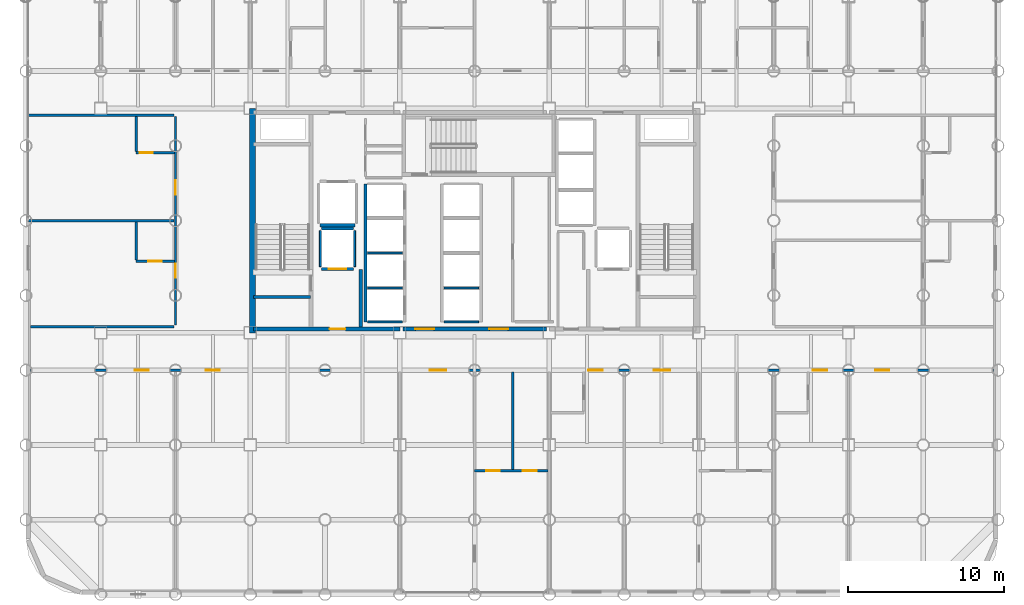
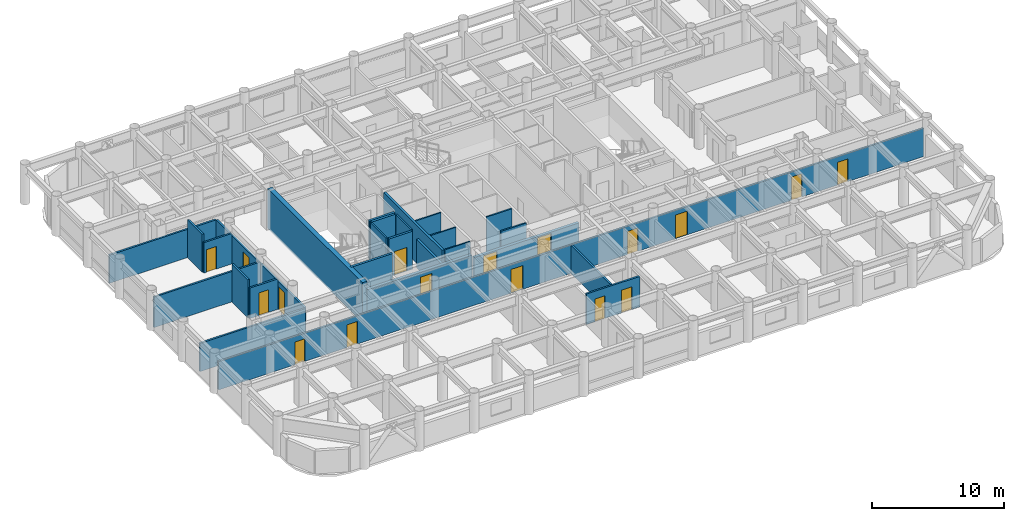
# One storey, part 15 of 20: 27 walls, 17 doors, 17 openings.
"""IFC4 building model written with IfcOpenShell, lengths in metres."""

import ifcopenshell
import ifcopenshell.guid

model = None  # the IFC model being written
_history = None  # IfcOwnerHistory: only IFC2X3 demands one
_inside = {}  # id of a spatial element -> (the spatial element, [elements in it])
_under = {}  # id of a project, library or spatial element -> (it, [spatial elements below it])
_declared = {}  # id of a project -> (the project, [libraries it declares])
_typed = {}  # id of a type object -> (the type object, [elements of that type])
_made_of = {}  # id of a material, layer set ... -> (it, [elements and type objects made of it])


def new_model(schema):
    """Start an empty IFC model of exactly this schema.

    Asked for "IFC4X3", IfcOpenShell would pick the latest addendum, in which some entities
    have other attributes; the version numbers below select the first issue.
    IFC2X3 requires an IfcOwnerHistory on every rooted entity: one is made here for all.
    """
    global model, _history
    if schema == "IFC4X3":
        model = ifcopenshell.file(schema_version=(4, 3, 0, 0))
    else:
        model = ifcopenshell.file(schema=schema)
    _inside.clear()
    _under.clear()
    _declared.clear()
    _typed.clear()
    _made_of.clear()
    _history = None
    if model.schema == "IFC2X3":
        org = make("IfcOrganization", Name="unknown")
        user = make(
            "IfcPersonAndOrganization",
            ThePerson=make("IfcPerson", FamilyName="unknown"),
            TheOrganization=org,
        )
        app = make(
            "IfcApplication",
            ApplicationDeveloper=org,
            Version="unknown",
            ApplicationFullName="unknown",
            ApplicationIdentifier="unknown",
        )
        _history = make(
            "IfcOwnerHistory",
            OwningUser=user,
            OwningApplication=app,
            ChangeAction="ADDED",
            CreationDate=0,
        )
    return model


def make(cls, **values):
    """One entity of the class cls with the attributes given. An attribute that is None is left unset."""
    return model.create_entity(
        cls, **{name: value for name, value in values.items() if value is not None}
    )


def rooted(cls, **values):
    """An entity with a GlobalId (a new one), such as an element, a storey or a relation."""
    return make(cls, GlobalId=ifcopenshell.guid.new(), OwnerHistory=_history, **values)


def si_unit(unit_type, name, prefix=None):
    """IfcSIUnit, for example si_unit("LENGTHUNIT", "METRE", prefix="MILLI")."""
    return make("IfcSIUnit", UnitType=unit_type, Prefix=prefix, Name=name)


def assignment(units):
    """IfcUnitAssignment: the units of a project."""
    return None if units is None else make("IfcUnitAssignment", Units=units)


def point(xyz):
    """IfcCartesianPoint."""
    return None if xyz is None else make("IfcCartesianPoint", Coordinates=xyz)


def direction(xyz):
    """IfcDirection."""
    return None if xyz is None else make("IfcDirection", DirectionRatios=xyz)


def frame(location, z_axis=None, x_axis=None):
    """IfcAxis2Placement3D, a coordinate frame: its origin and axes. An axis left out is left unset."""
    return make(
        "IfcAxis2Placement3D",
        Location=point(location),
        Axis=direction(z_axis),
        RefDirection=direction(x_axis),
    )


def frame_2d(location, x_axis=None):
    """IfcAxis2Placement2D, a coordinate frame in the plane: its origin and x axis."""
    return make(
        "IfcAxis2Placement2D", Location=point(location), RefDirection=direction(x_axis)
    )


def origin():
    """The frame at (0, 0, 0) with its axes left unset."""
    return frame((0.0, 0.0, 0.0))


def place(relative_to, where):
    """IfcLocalPlacement: puts the frame where relative to a parent placement (None: the world)."""
    return make(
        "IfcLocalPlacement", PlacementRelTo=relative_to, RelativePlacement=where
    )


def context(
    kind, dimensions, precision=None, world=None, true_north=None, identifier=None
):
    """IfcGeometricRepresentationContext, for example the 3D "Model" context."""
    return make(
        "IfcGeometricRepresentationContext",
        ContextIdentifier=identifier,
        ContextType=kind,
        CoordinateSpaceDimension=dimensions,
        Precision=precision,
        WorldCoordinateSystem=world,
        TrueNorth=true_north,
    )


def subcontext(parent, identifier, kind, view, scale=None):
    """IfcGeometricRepresentationSubContext, for example "Body" below "Model"."""
    return make(
        "IfcGeometricRepresentationSubContext",
        ContextIdentifier=identifier,
        ContextType=kind,
        ParentContext=parent,
        TargetScale=scale,
        TargetView=view,
    )


def project(units=None, contexts=None):
    """IfcProject with its units and contexts."""
    return rooted(
        "IfcProject",
        Name="project",
        RepresentationContexts=contexts,
        UnitsInContext=assignment(units),
    )


def spatial(cls, under=None, at=None, **own):
    """A site, building, storey or space (cls), placed at a placement, below another one or the project."""
    s = rooted(cls, ObjectPlacement=at, **own)
    if under is not None:
        _under.setdefault(under.id(), (under, []))[1].append(s)
    return s


def profile(cls, at=None, kind="AREA", **sizes):
    """A parametric profile (cls). Its sizes go by their IFC names, for example OverallWidth=200.0."""
    return make(cls, ProfileType=kind, Position=at, **sizes)


def rectangle(**sizes):
    """IfcRectangleProfileDef."""
    return profile("IfcRectangleProfileDef", **sizes)


def extrude(swept, where, along, depth):
    """IfcExtrudedAreaSolid: the profile swept, set in the frame where, extruded along a direction by depth."""
    return make(
        "IfcExtrudedAreaSolid",
        SweptArea=swept,
        Position=where,
        ExtrudedDirection=direction(along),
        Depth=depth,
    )


def shape(context_of_items, identifier, shape_type, items):
    """IfcShapeRepresentation: the items that make up one representation, for example the "Body"."""
    return make(
        "IfcShapeRepresentation",
        ContextOfItems=context_of_items,
        RepresentationIdentifier=identifier,
        RepresentationType=shape_type,
        Items=items,
    )


def material(Name=None, Category=None):
    """IfcMaterial."""
    return make("IfcMaterial", Name=Name, Category=Category)


def layer(
    of_material, thickness, ventilated=None, Name=None, Category=None, Priority=None
):
    """IfcMaterialLayer: one layer of a wall or slab, of a material (None: an air gap)."""
    return make(
        "IfcMaterialLayer",
        Material=of_material,
        LayerThickness=thickness,
        IsVentilated=ventilated,
        Name=Name,
        Category=Category,
        Priority=Priority,
    )


def layer_set(layers, Name=None):
    """IfcMaterialLayerSet."""
    return make("IfcMaterialLayerSet", MaterialLayers=layers, LayerSetName=Name)


def made_of(thing, what):
    """Note that an element or type object is made of a material, layer set ...; save() writes the relation."""
    if what is not None:
        _made_of.setdefault(what.id(), (what, []))[1].append(thing)
    return thing


def type_object(cls, material=None, **own):
    """A type object (cls), such as IfcWallType, which elements share."""
    return made_of(rooted(cls, **own), material)


def element(
    cls,
    number,
    at=None,
    inside=None,
    cuts=None,
    type_object=None,
    material=None,
    context=None,
    identifier="Body",
    shape_type=None,
    held_by="IfcProductDefinitionShape",
    body=None,
    shapes=None,
    **own,
):
    """One element of the class cls, such as IfcWall. Its Tag is "e" and its number.

    at: its placement. inside: the storey or other place that contains it. cuts: it is an
    opening in that element (IfcRelVoidsElement). A single representation is given by context,
    identifier, shape_type and body (its items); several are given by shapes. held_by: the class
    of the entity that holds the representations. save() writes the other relations.
    """
    e = rooted(cls, Tag="e%d" % number, ObjectPlacement=at, **own)
    if body is not None:
        shapes = [shape(context, identifier, shape_type, body)]
    if shapes is not None:
        e.Representation = make(held_by, Representations=shapes)
    if inside is not None:
        _inside.setdefault(inside.id(), (inside, []))[1].append(e)
    if cuts is not None:
        rooted(
            "IfcRelVoidsElement", RelatingBuildingElement=cuts, RelatedOpeningElement=e
        )
    if type_object is not None:
        _typed.setdefault(type_object.id(), (type_object, []))[1].append(e)
    return made_of(e, material)


def fill(opening, filler):
    """IfcRelFillsElement: the door or window that sits in an opening."""
    return rooted(
        "IfcRelFillsElement",
        RelatingOpeningElement=opening,
        RelatedBuildingElement=filler,
    )


def aggregate(whole, parts):
    """IfcRelAggregates: a whole, such as a stair, and the parts it consists of."""
    return rooted("IfcRelAggregates", RelatingObject=whole, RelatedObjects=parts)


def save(model, path):
    """Write the relations noted so far, then the file.

    IfcRelAggregates (storeys below a building ...), IfcRelContainedInSpatialStructure (elements
    in a storey), IfcRelDefinesByType, IfcRelAssociatesMaterial and IfcRelDeclares: one each for
    every whole, place, type object, material and project.
    """
    for whole, parts in _under.values():
        aggregate(whole, parts)
    for where, things in _inside.values():
        rooted(
            "IfcRelContainedInSpatialStructure",
            RelatedElements=things,
            RelatingStructure=where,
        )
    for kind, things in _typed.values():
        rooted("IfcRelDefinesByType", RelatedObjects=things, RelatingType=kind)
    for what, things in _made_of.values():
        rooted("IfcRelAssociatesMaterial", RelatedObjects=things, RelatingMaterial=what)
    for by, libraries in _declared.values():
        rooted("IfcRelDeclares", RelatingContext=by, RelatedDefinitions=libraries)
    model.write(path)


model = new_model("IFC4")

# Units and contexts
model_context = context("Model", 3, precision=1e-05, world=origin(), true_north=direction((0.0, 1.0)))
body_context = subcontext(model_context, "Body", "Model", "MODEL_VIEW")
ifc_project = project(units=[si_unit("LENGTHUNIT", "METRE"), si_unit("AREAUNIT", "SQUARE_METRE"), si_unit("VOLUMEUNIT", "CUBIC_METRE"), si_unit("PLANEANGLEUNIT", "RADIAN"), si_unit("MASSUNIT", "GRAM", prefix="KILO")], contexts=[model_context])

# Site, building, storey
site_placement = place(None, origin())
site = spatial("IfcSite", under=ifc_project, at=site_placement, CompositionType="ELEMENT")
building_placement = place(site_placement, origin())
building = spatial("IfcBuilding", under=site, at=building_placement, Name="Kallvorn Hotel Tower", CompositionType="ELEMENT")
storey_placement = place(building_placement, frame((0.0, 0.0, 74.39990234375)))
storey = spatial("IfcBuildingStorey", under=building, at=storey_placement, Name="L17", CompositionType="ELEMENT", Elevation=74.39990234375)

# Wall
ifc_material_1 = material(Name="Concrete C50/60", Category="concrete")
ifc_layer_1 = layer(ifc_material_1, 0.39990234375)
ifc_layer_set_1 = layer_set([ifc_layer_1], Name="WL_CORE_400")
wall_type_1 = type_object("IfcWallType", Name="WL_CORE_400", PredefinedType="SHEAR", material=ifc_layer_set_1)
wall_1_placement = place(storey_placement, frame((-14.264892578125, -7.199951171875, -0.179931640625), z_axis=(0.0, 0.0, 1.0), x_axis=(0.0, 1.0, 0.0)))
element("IfcWall", 1, at=wall_1_placement, inside=storey, type_object=wall_type_1, Name="L17 Core West Shear Wall", PredefinedType="SHEAR", context=body_context, shape_type="SweptSolid", body=[
    extrude(rectangle(XDim=14.39990234375, YDim=0.39990234375, at=frame_2d((7.199951171875, 0.0))), origin(), (0.0, 0.0, 1.0), 3.699951171875),
])

# Wall, openings, doors
ifc_material_2 = material(Name="Fire-rated double-layer acoustic gypsum drywall EI 60")
ifc_layer_2 = layer(ifc_material_2, 0.159912109375)
ifc_layer_set_2 = layer_set([ifc_layer_2], Name="WL_DEMISE_160")
wall_type_2 = type_object("IfcWallType", Name="WL_DEMISE_160", PredefinedType="PARTITIONING", material=ifc_layer_set_2)
wall_2_placement = place(storey_placement, frame((0.0, -16.050048828125, 0.0), z_axis=(0.0, 0.0, 1.0), x_axis=(1.0, 0.0, 0.0)))
wall_2 = element("IfcWall", 2, at=wall_2_placement, inside=storey, type_object=wall_type_2, Name="L17 Suite 1705 Executive Bedroom Partition", PredefinedType="PARTITIONING", context=body_context, shape_type="SweptSolid", body=[
    extrude(rectangle(XDim=4.719970703125, YDim=0.159912109375, at=frame_2d((2.35986328125, 0.0))), origin(), (0.0, 0.0, 1.0), 2.820068359375),
])
opening_1_placement = place(wall_2_placement, frame((0.75, 0.0, 0.0)))
opening_1 = element("IfcOpeningElement", 3, at=opening_1_placement, cuts=wall_2, Name="Opening BD-I", PredefinedType="OPENING", context=body_context, shape_type="SweptSolid", body=[
    extrude(rectangle(XDim=0.860107421875, YDim=2.10009765625, at=frame_2d((0.43017578125, 1.050048828125))), frame((0.0, 0.094970703125, 0.0), z_axis=(0.0, -1.0, 0.0), x_axis=(1.0, 0.0, 0.0)), (0.0, 0.0, 1.0), 0.18994140625),
])
opening_2_placement = place(wall_2_placement, frame((3.090087890625, 0.0, 0.0)))
opening_2 = element("IfcOpeningElement", 4, at=opening_2_placement, cuts=wall_2, Name="Opening SVD1", PredefinedType="OPENING", context=body_context, shape_type="SweptSolid", body=[
    extrude(rectangle(XDim=0.89990234375, YDim=2.10009765625, at=frame_2d((0.449951171875, 1.050048828125))), frame((0.0, 0.094970703125, 0.0), z_axis=(0.0, -1.0, 0.0), x_axis=(1.0, 0.0, 0.0)), (0.0, 0.0, 1.0), 0.18994140625),
])
ifc_material_3 = material(Name="Solid-core walnut veneer fire-rated timber door leaf", Category="wood")
door_type_1 = type_object("IfcDoorType", Name="DR_BATH_860x2100", OperationType="NOTDEFINED", PredefinedType="DOOR", material=ifc_material_3)
door_1_placement = place(opening_1_placement, origin())
door_1 = element("IfcDoor", 5, at=door_1_placement, inside=storey, type_object=door_type_1, Name="L17 Suite 1705 En-Suite Bathroom Door", OperationType="SINGLE_SWING_LEFT", OverallHeight=2.10009765625, OverallWidth=0.860107421875, PredefinedType="DOOR", context=body_context, shape_type="SweptSolid", body=[
    extrude(rectangle(XDim=0.860107421875, YDim=2.10009765625, at=frame_2d((0.43017578125, 1.050048828125))), frame((0.0, 0.02490234375, 0.0), z_axis=(0.0, -1.0, 0.0), x_axis=(1.0, 0.0, 0.0)), (0.0, 0.0, 1.0), 0.050048828125),
])
fill(opening_1, door_1)
ifc_material_4 = material(Name="Galvanised painted steel fire-rated door assembly", Category="steel")
door_type_2 = type_object("IfcDoorType", Name="DR_SERV_900x2100", OperationType="NOTDEFINED", PredefinedType="DOOR", material=ifc_material_4)
door_2_placement = place(opening_2_placement, origin())
door_2 = element("IfcDoor", 6, at=door_2_placement, inside=storey, type_object=door_type_2, Name="L17 Suite 1705 Walk-In Dressing Closet Door", OperationType="SINGLE_SWING_RIGHT", OverallHeight=2.10009765625, OverallWidth=0.89990234375, PredefinedType="DOOR", context=body_context, shape_type="SweptSolid", body=[
    extrude(rectangle(XDim=0.89990234375, YDim=2.10009765625, at=frame_2d((0.449951171875, 1.050048828125))), frame((0.0, 0.02490234375, 0.0), z_axis=(0.0, -1.0, 0.0), x_axis=(1.0, 0.0, 0.0)), (0.0, 0.0, 1.0), 0.050048828125),
])
fill(opening_2, door_2)

wall_3_placement = place(storey_placement, frame((-28.510009765625, -9.60009765625, 0.0), z_axis=(0.0, 0.0, 1.0), x_axis=(1.0, 0.0, 0.0)))
wall_3 = element("IfcWall", 7, at=wall_3_placement, inside=storey, type_object=wall_type_2, Name="L17 Suite 1705 Executive Living Salon Partition", PredefinedType="PARTITIONING", context=body_context, shape_type="SweptSolid", body=[
    extrude(rectangle(XDim=61.820068359375, YDim=0.159912109375, at=frame_2d((30.91015625, 0.0))), origin(), (0.0, 0.0, 1.0), 2.6201171875),
])
opening_3_placement = place(wall_3_placement, frame((6.679443359375, 0.0, 0.0)))
opening_3 = element("IfcOpeningElement", 8, at=opening_3_placement, cuts=wall_3, Name="Opening SVD1", PredefinedType="OPENING", context=body_context, shape_type="SweptSolid", body=[
    extrude(rectangle(XDim=0.89990234375, YDim=2.10009765625, at=frame_2d((0.449951171875, 1.050048828125))), frame((0.0, 0.094970703125, 0.0), z_axis=(0.0, -1.0, 0.0), x_axis=(1.0, 0.0, 0.0)), (0.0, 0.0, 1.0), 0.18994140625),
])
opening_4_placement = place(wall_3_placement, frame((54.240478515625, 0.0, 0.0)))
opening_4 = element("IfcOpeningElement", 9, at=opening_4_placement, cuts=wall_3, Name="Opening SVD1", PredefinedType="OPENING", context=body_context, shape_type="SweptSolid", body=[
    extrude(rectangle(XDim=0.89990234375, YDim=2.10009765625, at=frame_2d((0.449951171875, 1.050048828125))), frame((0.0, 0.094970703125, 0.0), z_axis=(0.0, -1.0, 0.0), x_axis=(1.0, 0.0, 0.0)), (0.0, 0.0, 1.0), 0.18994140625),
])
opening_5_placement = place(wall_3_placement, frame((11.260009765625, 0.0, 0.0)))
opening_5 = element("IfcOpeningElement", 10, at=opening_5_placement, cuts=wall_3, Name="Opening SVD1", PredefinedType="OPENING", context=body_context, shape_type="SweptSolid", body=[
    extrude(rectangle(XDim=0.89990234375, YDim=2.10009765625, at=frame_2d((0.449951171875, 1.050048828125))), frame((0.0, 0.094970703125, 0.0), z_axis=(0.0, -1.0, 0.0), x_axis=(1.0, 0.0, 0.0)), (0.0, 0.0, 1.0), 0.18994140625),
])
opening_6_placement = place(wall_3_placement, frame((25.625, 0.0, 0.0)))
opening_6 = element("IfcOpeningElement", 11, at=opening_6_placement, cuts=wall_3, Name="Opening GD2", PredefinedType="OPENING", context=body_context, shape_type="SweptSolid", body=[
    extrude(rectangle(XDim=1.050048828125, YDim=2.199951171875, at=frame_2d((0.52490234375, 1.10009765625))), frame((0.0, 0.094970703125, 0.0), z_axis=(0.0, -1.0, 0.0), x_axis=(1.0, 0.0, 0.0)), (0.0, 0.0, 1.0), 0.18994140625),
])
opening_7_placement = place(wall_3_placement, frame((35.820068359375, 0.0, 0.0)))
opening_7 = element("IfcOpeningElement", 12, at=opening_7_placement, cuts=wall_3, Name="Opening GD1", PredefinedType="OPENING", context=body_context, shape_type="SweptSolid", body=[
    extrude(rectangle(XDim=0.919921875, YDim=2.14990234375, at=frame_2d((0.4599609375, 1.074951171875))), frame((0.0, 0.094970703125, 0.0), z_axis=(0.0, -1.0, 0.0), x_axis=(1.0, 0.0, 0.0)), (0.0, 0.0, 1.0), 0.18994140625),
])
opening_8_placement = place(wall_3_placement, frame((40.02490234375, 0.0, 0.0)))
opening_8 = element("IfcOpeningElement", 13, at=opening_8_placement, cuts=wall_3, Name="Opening GD2", PredefinedType="OPENING", context=body_context, shape_type="SweptSolid", body=[
    extrude(rectangle(XDim=1.050048828125, YDim=2.199951171875, at=frame_2d((0.52490234375, 1.10009765625))), frame((0.0, 0.094970703125, 0.0), z_axis=(0.0, -1.0, 0.0), x_axis=(1.0, 0.0, 0.0)), (0.0, 0.0, 1.0), 0.18994140625),
])
opening_9_placement = place(wall_3_placement, frame((50.219970703125, 0.0, 0.0)))
opening_9 = element("IfcOpeningElement", 14, at=opening_9_placement, cuts=wall_3, Name="Opening GD1", PredefinedType="OPENING", context=body_context, shape_type="SweptSolid", body=[
    extrude(rectangle(XDim=0.919921875, YDim=2.14990234375, at=frame_2d((0.4599609375, 1.074951171875))), frame((0.0, 0.094970703125, 0.0), z_axis=(0.0, -1.0, 0.0), x_axis=(1.0, 0.0, 0.0)), (0.0, 0.0, 1.0), 0.18994140625),
])
ifc_material_5 = material(Name="Solid-core walnut veneer fire-rated timber door leaf", Category="wood")
door_type_3 = type_object("IfcDoorType", Name="DR_GUEST_920x2150", OperationType="NOTDEFINED", PredefinedType="DOOR", material=ifc_material_5)
door_3_placement = place(opening_7_placement, origin())
door_3 = element("IfcDoor", 15, at=door_3_placement, inside=storey, type_object=door_type_3, Name="L17 Suite 1706 Deluxe King Room Door", OperationType="SINGLE_SWING_RIGHT", OverallHeight=2.14990234375, OverallWidth=0.919921875, PredefinedType="DOOR", context=body_context, shape_type="SweptSolid", body=[
    extrude(rectangle(XDim=0.919921875, YDim=2.14990234375, at=frame_2d((0.4599609375, 1.074951171875))), frame((0.0, 0.02490234375, 0.0), z_axis=(0.0, -1.0, 0.0), x_axis=(1.0, 0.0, 0.0)), (0.0, 0.0, 1.0), 0.050048828125),
])
fill(opening_7, door_3)
door_4_placement = place(opening_9_placement, origin())
door_4 = element("IfcDoor", 16, at=door_4_placement, inside=storey, type_object=door_type_3, Name="L17 Suite 1708 Superior Twin Room Door", OperationType="SINGLE_SWING_RIGHT", OverallHeight=2.14990234375, OverallWidth=0.919921875, PredefinedType="DOOR", context=body_context, shape_type="SweptSolid", body=[
    extrude(rectangle(XDim=0.919921875, YDim=2.14990234375, at=frame_2d((0.4599609375, 1.074951171875))), frame((0.0, 0.02490234375, 0.0), z_axis=(0.0, -1.0, 0.0), x_axis=(1.0, 0.0, 0.0)), (0.0, 0.0, 1.0), 0.050048828125),
])
fill(opening_9, door_4)
door_5_placement = place(opening_3_placement, origin())
door_5 = element("IfcDoor", 17, at=door_5_placement, inside=storey, type_object=door_type_2, Name="L17 L17 South-West Botanical Bar Door", OperationType="SINGLE_SWING_RIGHT", OverallHeight=2.10009765625, OverallWidth=0.89990234375, PredefinedType="DOOR", context=body_context, shape_type="SweptSolid", body=[
    extrude(rectangle(XDim=0.89990234375, YDim=2.10009765625, at=frame_2d((0.449951171875, 1.050048828125))), frame((0.0, 0.02490234375, 0.0), z_axis=(0.0, -1.0, 0.0), x_axis=(1.0, 0.0, 0.0)), (0.0, 0.0, 1.0), 0.050048828125),
])
fill(opening_3, door_5)
door_6_placement = place(opening_4_placement, origin())
door_6 = element("IfcDoor", 18, at=door_6_placement, inside=storey, type_object=door_type_2, Name="L17 L17 South-East Sommelier Bar Door", OperationType="SINGLE_SWING_LEFT", OverallHeight=2.10009765625, OverallWidth=0.89990234375, PredefinedType="DOOR", context=body_context, shape_type="SweptSolid", body=[
    extrude(rectangle(XDim=0.89990234375, YDim=2.10009765625, at=frame_2d((0.449951171875, 1.050048828125))), frame((0.0, 0.02490234375, 0.0), z_axis=(0.0, -1.0, 0.0), x_axis=(1.0, 0.0, 0.0)), (0.0, 0.0, 1.0), 0.050048828125),
])
fill(opening_4, door_6)
door_7_placement = place(opening_5_placement, origin())
door_7 = element("IfcDoor", 19, at=door_7_placement, inside=storey, type_object=door_type_2, Name="L17 L17 Panoramic Club Sky Lounge 1 Door", OperationType="SINGLE_SWING_LEFT", OverallHeight=2.10009765625, OverallWidth=0.89990234375, PredefinedType="DOOR", context=body_context, shape_type="SweptSolid", body=[
    extrude(rectangle(XDim=0.89990234375, YDim=2.10009765625, at=frame_2d((0.449951171875, 1.050048828125))), frame((0.0, 0.02490234375, 0.0), z_axis=(0.0, -1.0, 0.0), x_axis=(1.0, 0.0, 0.0)), (0.0, 0.0, 1.0), 0.050048828125),
])
fill(opening_5, door_7)
ifc_material_6 = material(Name="Solid-core walnut veneer fire-rated timber door leaf", Category="wood")
door_type_4 = type_object("IfcDoorType", Name="DR_SUITE_1050x2200", OperationType="NOTDEFINED", PredefinedType="DOOR", material=ifc_material_6)
door_8_placement = place(opening_6_placement, origin())
door_8 = element("IfcDoor", 20, at=door_8_placement, inside=storey, type_object=door_type_4, Name="L17 Suite 1705 Executive Living Salon Door", OperationType="SINGLE_SWING_LEFT", OverallHeight=2.199951171875, OverallWidth=1.050048828125, PredefinedType="DOOR", context=body_context, shape_type="SweptSolid", body=[
    extrude(rectangle(XDim=1.050048828125, YDim=2.199951171875, at=frame_2d((0.52490234375, 1.10009765625))), frame((0.0, 0.02490234375, 0.0), z_axis=(0.0, -1.0, 0.0), x_axis=(1.0, 0.0, 0.0)), (0.0, 0.0, 1.0), 0.050048828125),
])
fill(opening_6, door_8)
door_9_placement = place(opening_8_placement, origin())
door_9 = element("IfcDoor", 21, at=door_9_placement, inside=storey, type_object=door_type_4, Name="L17 Suite 1707 Executive Living Salon Door", OperationType="SINGLE_SWING_RIGHT", OverallHeight=2.199951171875, OverallWidth=1.050048828125, PredefinedType="DOOR", context=body_context, shape_type="SweptSolid", body=[
    extrude(rectangle(XDim=1.050048828125, YDim=2.199951171875, at=frame_2d((0.52490234375, 1.10009765625))), frame((0.0, 0.02490234375, 0.0), z_axis=(0.0, -1.0, 0.0), x_axis=(1.0, 0.0, 0.0)), (0.0, 0.0, 1.0), 0.050048828125),
])
fill(opening_8, door_9)

# Wall
wall_4_placement = place(storey_placement, frame((-28.510009765625, -6.800048828125, 0.0), z_axis=(0.0, 0.0, 1.0), x_axis=(1.0, 0.0, 0.0)))
element("IfcWall", 22, at=wall_4_placement, inside=storey, type_object=wall_type_2, Name="L17 Suite 1701 W Loggia King Room Partition", PredefinedType="PARTITIONING", context=body_context, shape_type="SweptSolid", body=[
    extrude(rectangle(XDim=9.22998046875, YDim=0.159912109375, at=frame_2d((4.614990234375, 0.0))), origin(), (0.0, 0.0, 1.0), 2.6201171875),
])

# Wall, opening, door
wall_5_placement = place(storey_placement, frame((-21.72998046875, -2.60009765625, 0.0), z_axis=(0.0, 0.0, 1.0), x_axis=(1.0, 0.0, 0.0)))
wall_5 = element("IfcWall", 23, at=wall_5_placement, inside=storey, type_object=wall_type_2, Name="L17 Suite 1701 W Loggia King Room Partition", PredefinedType="PARTITIONING", context=body_context, shape_type="SweptSolid", body=[
    extrude(rectangle(XDim=2.449951171875, YDim=0.159912109375, at=frame_2d((1.22509765625, 0.0))), origin(), (0.0, 0.0, 1.0), 2.820068359375),
])
opening_10_placement = place(wall_5_placement, frame((0.794921875, 0.0, 0.0)))
opening_10 = element("IfcOpeningElement", 24, at=opening_10_placement, cuts=wall_5, Name="Opening BD-I", PredefinedType="OPENING", context=body_context, shape_type="SweptSolid", body=[
    extrude(rectangle(XDim=0.860107421875, YDim=2.10009765625, at=frame_2d((0.43017578125, 1.050048828125))), frame((0.0, 0.094970703125, 0.0), z_axis=(0.0, -1.0, 0.0), x_axis=(1.0, 0.0, 0.0)), (0.0, 0.0, 1.0), 0.18994140625),
])
door_10_placement = place(opening_10_placement, origin())
door_10 = element("IfcDoor", 25, at=door_10_placement, inside=storey, type_object=door_type_1, Name="L17 Suite 1701 En-Suite Bathroom Door", OperationType="SINGLE_SWING_RIGHT", OverallHeight=2.10009765625, OverallWidth=0.860107421875, PredefinedType="DOOR", context=body_context, shape_type="SweptSolid", body=[
    extrude(rectangle(XDim=0.860107421875, YDim=2.10009765625, at=frame_2d((0.43017578125, 1.050048828125))), frame((0.0, 0.02490234375, 0.0), z_axis=(0.0, -1.0, 0.0), x_axis=(1.0, 0.0, 0.0)), (0.0, 0.0, 1.0), 0.050048828125),
])
fill(opening_10, door_10)

# Wall
wall_6_placement = place(storey_placement, frame((-28.6298828125, 0.0, 0.0), z_axis=(0.0, 0.0, 1.0), x_axis=(1.0, 0.0, 0.0)))
element("IfcWall", 26, at=wall_6_placement, inside=storey, type_object=wall_type_2, Name="L17 Suite 1702 W Andean Twin Room Partition", PredefinedType="PARTITIONING", context=body_context, shape_type="SweptSolid", body=[
    extrude(rectangle(XDim=9.349853515625, YDim=0.159912109375, at=frame_2d((4.6748046875, 0.0))), origin(), (0.0, 0.0, 1.0), 2.820068359375),
])

# Wall, opening, door
wall_7_placement = place(storey_placement, frame((-21.72998046875, 4.35009765625, 0.0), z_axis=(0.0, 0.0, 1.0), x_axis=(1.0, 0.0, 0.0)))
wall_7 = element("IfcWall", 27, at=wall_7_placement, inside=storey, type_object=wall_type_2, Name="L17 Suite 1702 W Andean Twin Room Partition", PredefinedType="PARTITIONING", context=body_context, shape_type="SweptSolid", body=[
    extrude(rectangle(XDim=2.449951171875, YDim=0.159912109375, at=frame_2d((1.22509765625, 0.0))), origin(), (0.0, 0.0, 1.0), 2.820068359375),
])
opening_11_placement = place(wall_7_placement, frame((0.219970703125, 0.0, 0.0)))
opening_11 = element("IfcOpeningElement", 28, at=opening_11_placement, cuts=wall_7, Name="Opening BD-I", PredefinedType="OPENING", context=body_context, shape_type="SweptSolid", body=[
    extrude(rectangle(XDim=0.860107421875, YDim=2.10009765625, at=frame_2d((0.43017578125, 1.050048828125))), frame((0.0, 0.094970703125, 0.0), z_axis=(0.0, -1.0, 0.0), x_axis=(1.0, 0.0, 0.0)), (0.0, 0.0, 1.0), 0.18994140625),
])
door_11_placement = place(opening_11_placement, origin())
door_11 = element("IfcDoor", 29, at=door_11_placement, inside=storey, type_object=door_type_1, Name="L17 Suite 1702 En-Suite Bathroom Door", OperationType="SINGLE_SWING_LEFT", OverallHeight=2.10009765625, OverallWidth=0.860107421875, PredefinedType="DOOR", context=body_context, shape_type="SweptSolid", body=[
    extrude(rectangle(XDim=0.860107421875, YDim=2.10009765625, at=frame_2d((0.43017578125, 1.050048828125))), frame((0.0, 0.02490234375, 0.0), z_axis=(0.0, -1.0, 0.0), x_axis=(1.0, 0.0, 0.0)), (0.0, 0.0, 1.0), 0.050048828125),
])
fill(opening_11, door_11)

# Walls
wall_8_placement = place(storey_placement, frame((-28.6298828125, 6.75830078125, 0.0), z_axis=(0.0, 0.0, 1.0), x_axis=(1.0, 0.0, 0.0)))
element("IfcWall", 30, at=wall_8_placement, inside=storey, type_object=wall_type_2, Name="L17 Suite 1702 W Andean Twin Room Partition", PredefinedType="PARTITIONING", context=body_context, shape_type="SweptSolid", body=[
    extrude(rectangle(XDim=9.349853515625, YDim=0.159912109375, at=frame_2d((4.6748046875, 0.0))), origin(), (0.0, 0.0, 1.0), 2.6201171875),
])
wall_9_placement = place(storey_placement, frame((-21.72998046875, -2.514892578125, 0.0), z_axis=(0.0, 0.0, 1.0), x_axis=(0.0, 1.0, 0.0)))
element("IfcWall", 31, at=wall_9_placement, inside=storey, type_object=wall_type_2, Name="L17 Suite 1701 W Loggia King Room Partition", PredefinedType="PARTITIONING", context=body_context, shape_type="SweptSolid", body=[
    extrude(rectangle(XDim=2.414794921875, YDim=0.159912109375, at=frame_2d((1.20751953125, 0.0))), origin(), (0.0, 0.0, 1.0), 3.52001953125),
])
wall_10_placement = place(storey_placement, frame((-21.72998046875, 4.43505859375, 0.0), z_axis=(0.0, 0.0, 1.0), x_axis=(0.0, 1.0, 0.0)))
element("IfcWall", 32, at=wall_10_placement, inside=storey, type_object=wall_type_2, Name="L17 Suite 1702 W Andean Twin Room Partition", PredefinedType="PARTITIONING", context=body_context, shape_type="SweptSolid", body=[
    extrude(rectangle(XDim=2.23828125, YDim=0.159912109375, at=frame_2d((1.119140625, 0.0))), origin(), (0.0, 0.0, 1.0), 3.52001953125),
])

# Wall, openings, doors
wall_11_placement = place(storey_placement, frame((-19.199951171875, -6.715087890625, 0.0), z_axis=(0.0, 0.0, 1.0), x_axis=(0.0, 1.0, 0.0)))
wall_11 = element("IfcWall", 33, at=wall_11_placement, inside=storey, type_object=wall_type_2, Name="L17 Suite 1701 W Loggia King Room Partition", PredefinedType="PARTITIONING", context=body_context, shape_type="SweptSolid", body=[
    extrude(rectangle(XDim=13.388427734375, YDim=0.159912109375, at=frame_2d((6.6943359375, 0.0))), origin(), (0.0, 0.0, 1.0), 2.6201171875),
])
opening_12_placement = place(wall_11_placement, frame((3.034912109375, 0.0, 0.0)))
opening_12 = element("IfcOpeningElement", 34, at=opening_12_placement, cuts=wall_11, Name="Opening GD1", PredefinedType="OPENING", context=body_context, shape_type="SweptSolid", body=[
    extrude(rectangle(XDim=0.919921875, YDim=2.14990234375, at=frame_2d((0.4599609375, 1.074951171875))), frame((0.0, 0.094970703125, 0.0), z_axis=(0.0, -1.0, 0.0), x_axis=(1.0, 0.0, 0.0)), (0.0, 0.0, 1.0), 0.18994140625),
])
opening_13_placement = place(wall_11_placement, frame((8.385009765625, 0.0, 0.0)))
opening_13 = element("IfcOpeningElement", 35, at=opening_13_placement, cuts=wall_11, Name="Opening GD1", PredefinedType="OPENING", context=body_context, shape_type="SweptSolid", body=[
    extrude(rectangle(XDim=0.919921875, YDim=2.14990234375, at=frame_2d((0.4599609375, 1.074951171875))), frame((0.0, 0.094970703125, 0.0), z_axis=(0.0, -1.0, 0.0), x_axis=(1.0, 0.0, 0.0)), (0.0, 0.0, 1.0), 0.18994140625),
])
door_12_placement = place(opening_12_placement, origin())
door_12 = element("IfcDoor", 36, at=door_12_placement, inside=storey, type_object=door_type_3, Name="L17 Suite 1701 W Loggia King Room Door", OperationType="SINGLE_SWING_RIGHT", OverallHeight=2.14990234375, OverallWidth=0.919921875, PredefinedType="DOOR", context=body_context, shape_type="SweptSolid", body=[
    extrude(rectangle(XDim=0.919921875, YDim=2.14990234375, at=frame_2d((0.4599609375, 1.074951171875))), frame((0.0, 0.02490234375, 0.0), z_axis=(0.0, -1.0, 0.0), x_axis=(1.0, 0.0, 0.0)), (0.0, 0.0, 1.0), 0.050048828125),
])
fill(opening_12, door_12)
door_13_placement = place(opening_13_placement, origin())
door_13 = element("IfcDoor", 37, at=door_13_placement, inside=storey, type_object=door_type_3, Name="L17 Suite 1702 W Andean Twin Room Door", OperationType="SINGLE_SWING_RIGHT", OverallHeight=2.14990234375, OverallWidth=0.919921875, PredefinedType="DOOR", context=body_context, shape_type="SweptSolid", body=[
    extrude(rectangle(XDim=0.919921875, YDim=2.14990234375, at=frame_2d((0.4599609375, 1.074951171875))), frame((0.0, 0.02490234375, 0.0), z_axis=(0.0, -1.0, 0.0), x_axis=(1.0, 0.0, 0.0)), (0.0, 0.0, 1.0), 0.050048828125),
])
fill(opening_13, door_13)

# Walls
ifc_material_7 = material(Name="Concrete C40/50", Category="concrete")
ifc_layer_3 = layer(ifc_material_7, 0.219970703125)
ifc_layer_set_3 = layer_set([ifc_layer_3], Name="WL_FFL_220")
wall_type_3 = type_object("IfcWallType", Name="WL_FFL_220", PredefinedType="SOLIDWALL", material=ifc_layer_set_3)
wall_12_placement = place(storey_placement, frame((-7.300048828125, -6.820068359375, 0.0), z_axis=(0.0, 0.0, 1.0), x_axis=(0.0, 1.0, 0.0)))
element("IfcWall", 38, at=wall_12_placement, inside=storey, type_object=wall_type_3, Name="L17 Firefighting Lobby West Divider Wall", PredefinedType="SOLIDWALL", context=body_context, shape_type="SweptSolid", body=[
    extrude(rectangle(XDim=3.670166015625, YDim=0.219970703125, at=frame_2d((1.8349609375, 0.0))), origin(), (0.0, 0.0, 1.0), 2.6201171875),
])
ifc_material_8 = material(Name="Concrete C40/50", Category="concrete")
ifc_layer_4 = layer(ifc_material_8, 0.199951171875)
ifc_layer_set_4 = layer_set([ifc_layer_4], Name="WL_HOIST_200")
wall_type_4 = type_object("IfcWallType", Name="WL_HOIST_200", PredefinedType="SOLIDWALL", material=ifc_layer_set_4)
wall_13_placement = place(storey_placement, frame((-14.199951171875, -4.89990234375, -0.179931640625), z_axis=(0.0, 0.0, 1.0), x_axis=(1.0, 0.0, 0.0)))
element("IfcWall", 39, at=wall_13_placement, inside=storey, type_object=wall_type_4, Name="L17 Stair ST1 South Wall", PredefinedType="SOLIDWALL", context=body_context, shape_type="SweptSolid", body=[
    extrude(rectangle(XDim=3.64990234375, YDim=0.199951171875, at=frame_2d((1.824951171875, 0.0))), origin(), (0.0, 0.0, 1.0), 3.699951171875),
])
wall_14_placement = place(storey_placement, frame((-7.0, -6.5, 0.0), z_axis=(0.0, 0.0, 1.0), x_axis=(0.0, 1.0, 0.0)))
element("IfcWall", 40, at=wall_14_placement, inside=storey, type_object=wall_type_4, Name="L17 Lift Bank B1 Rear Shaft Wall", PredefinedType="SOLIDWALL", context=body_context, shape_type="SweptSolid", body=[
    extrude(rectangle(XDim=8.85009765625, YDim=0.199951171875, at=frame_2d((4.425048828125, 0.0))), origin(), (0.0, 0.0, 1.0), 3.52001953125),
])

# Wall, opening, door
wall_15_placement = place(storey_placement, frame((-9.820068359375, -3.10009765625, 0.0), z_axis=(0.0, 0.0, 1.0), x_axis=(1.0, 0.0, 0.0)))
wall_15 = element("IfcWall", 41, at=wall_15_placement, inside=storey, type_object=wall_type_4, Name="L17 FL-1 Landing Wall", PredefinedType="SOLIDWALL", context=body_context, shape_type="SweptSolid", body=[
    extrude(rectangle(XDim=2.0400390625, YDim=0.199951171875, at=frame_2d((1.02001953125, 0.0))), origin(), (0.0, 0.0, 1.0), 3.52001953125),
])
opening_14_placement = place(wall_15_placement, frame((0.469970703125, 0.0, 0.0)))
opening_14 = element("IfcOpeningElement", 42, at=opening_14_placement, cuts=wall_15, Name="Opening LD-FL-1", PredefinedType="OPENING", context=body_context, shape_type="SweptSolid", body=[
    extrude(rectangle(XDim=1.10009765625, YDim=2.199951171875, at=frame_2d((0.550048828125, 1.10009765625))), frame((0.0, 0.114990234375, 0.0), z_axis=(0.0, -1.0, 0.0), x_axis=(1.0, 0.0, 0.0)), (0.0, 0.0, 1.0), 0.22998046875),
])
ifc_material_9 = material(Name="Brushed stainless-steel automatic sliding lift landing door", Category="steel")
door_type_5 = type_object("IfcDoorType", Name="LD_PASS_1100x2200", OperationType="SLIDING_TO_LEFT", PredefinedType="DOOR", material=ifc_material_9)
door_14_placement = place(opening_14_placement, origin())
door_14 = element("IfcDoor", 43, at=door_14_placement, inside=storey, type_object=door_type_5, Name="L17 Lift Landing Sliding Door LD-FL-1", OperationType="SLIDING_TO_LEFT", OverallHeight=2.199951171875, OverallWidth=1.10009765625, PredefinedType="DOOR", context=body_context, shape_type="SweptSolid", body=[
    extrude(rectangle(XDim=1.10009765625, YDim=2.199951171875, at=frame_2d((0.550048828125, 1.10009765625))), frame((0.0, 0.02490234375, 0.0), z_axis=(0.0, -1.0, 0.0), x_axis=(1.0, 0.0, 0.0)), (0.0, 0.0, 1.0), 0.050048828125),
])
fill(opening_14, door_14)

# Walls
wall_16_placement = place(storey_placement, frame((-9.820068359375, -0.5, 0.0), z_axis=(0.0, 0.0, 1.0), x_axis=(1.0, 0.0, 0.0)))
element("IfcWall", 44, at=wall_16_placement, inside=storey, type_object=wall_type_4, Name="L17 FL-1 Rear Shaft Wall", PredefinedType="SOLIDWALL", context=body_context, shape_type="SweptSolid", body=[
    extrude(rectangle(XDim=2.0400390625, YDim=0.199951171875, at=frame_2d((1.02001953125, 0.0))), origin(), (0.0, 0.0, 1.0), 3.52001953125),
])
wall_17_placement = place(storey_placement, frame((-9.919921875, -0.300048828125, 0.0), z_axis=(0.0, 0.0, 1.0), x_axis=(1.0, 0.0, 0.0)))
element("IfcWall", 45, at=wall_17_placement, inside=storey, type_object=wall_type_4, Name="L17 SV-01 Rear Shaft Wall", PredefinedType="SOLIDWALL", context=body_context, shape_type="SweptSolid", body=[
    extrude(rectangle(XDim=2.239990234375, YDim=0.199951171875, at=frame_2d((1.1201171875, 0.0))), origin(), (0.0, 0.0, 1.0), 3.52001953125),
])
ifc_material_10 = material(Name="Fire-rated double-layer acoustic gypsum drywall EI 60")
ifc_layer_5 = layer(ifc_material_10, 0.1201171875)
ifc_layer_set_5 = layer_set([ifc_layer_5], Name="WL_INT_120")
wall_type_5 = type_object("IfcWallType", Name="WL_INT_120", PredefinedType="PARTITIONING", material=ifc_layer_set_5)
for number, where, z_axis, x_axis, name in (
    (46, (-6.860107421875, -6.5, 0.0), (0.0, 0.0, 1.0), (1.0, 0.0, 0.0), "L17 Lift Bank B1 South Closure Wall"),
    (47, (-6.860107421875, -4.324951171875, 0.0), (0.0, 0.0, 1.0), (1.0, 0.0, 0.0), "L17 PL-01 Hoistway Divider"),
    (48, (-6.860107421875, -2.074951171875, 0.0), (0.0, 0.0, 1.0), (1.0, 0.0, 0.0), "L17 PL-02 Hoistway Divider"),
):
    element("IfcWall", number, at=place(storey_placement, frame(where, z_axis=z_axis, x_axis=x_axis)), inside=storey, type_object=wall_type_5, Name=name, PredefinedType="PARTITIONING", context=body_context, shape_type="SweptSolid", body=[
        extrude(rectangle(XDim=2.22021484375, YDim=0.1201171875, at=frame_2d((1.110107421875, 0.0))), origin(), (0.0, 0.0, 1.0), 3.52001953125),
    ])
for number, where, z_axis, x_axis, name in (
    (49, (-1.9599609375, -6.5, 0.0), (0.0, 0.0, 1.0), (1.0, 0.0, 0.0), "L17 Lift Bank B2 South Closure Wall"),
    (50, (-1.9599609375, -4.324951171875, 0.0), (0.0, 0.0, 1.0), (1.0, 0.0, 0.0), "L17 PL-05 Hoistway Divider"),
):
    element("IfcWall", number, at=place(storey_placement, frame(where, z_axis=z_axis, x_axis=x_axis)), inside=storey, type_object=wall_type_5, Name=name, PredefinedType="PARTITIONING", context=body_context, shape_type="SweptSolid", body=[
        extrude(rectangle(XDim=2.219970703125, YDim=0.1201171875, at=frame_2d((1.10986328125, 0.0))), origin(), (0.0, 0.0, 1.0), 3.52001953125),
    ])
for number, where, z_axis, x_axis, name in (
    (51, (-9.89990234375, -2.9599609375, 0.0), (0.0, 0.0, 1.0), (0.0, 1.0, 0.0), "L17 FL-1 West Shaft Wall"),
    (52, (-7.699951171875, -2.9599609375, 0.0), (0.0, 0.0, 1.0), (0.0, 1.0, 0.0), "L17 FL-1 East Shaft Wall"),
):
    element("IfcWall", number, at=place(storey_placement, frame(where, z_axis=z_axis, x_axis=x_axis)), inside=storey, type_object=wall_type_5, Name=name, PredefinedType="PARTITIONING", context=body_context, shape_type="SweptSolid", body=[
        extrude(rectangle(XDim=2.320068359375, YDim=0.1201171875, at=frame_2d((1.16015625, 0.0))), origin(), (0.0, 0.0, 1.0), 3.52001953125),
    ])
ifc_material_11 = material(Name="Fire-rated double-layer acoustic gypsum drywall EI 60")
ifc_layer_6 = layer(ifc_material_11, 0.14990234375)
ifc_layer_set_6 = layer_set([ifc_layer_6], Name="WL_PART_150")
wall_type_6 = type_object("IfcWallType", Name="WL_PART_150", PredefinedType="PARTITIONING", material=ifc_layer_set_6)
wall_18_placement = place(storey_placement, frame((2.43994140625, -15.965087890625, 0.0), z_axis=(0.0, 0.0, 1.0), x_axis=(0.0, 1.0, 0.0)))
element("IfcWall", 53, at=wall_18_placement, inside=storey, type_object=wall_type_6, Name="L17 Suite 1705 Walk-In Dressing Closet Partition", PredefinedType="PARTITIONING", context=body_context, shape_type="SweptSolid", body=[
    extrude(rectangle(XDim=6.2451171875, YDim=0.14990234375, at=frame_2d((3.12255859375, 0.0))), origin(), (0.0, 0.0, 1.0), 2.6201171875),
])

# Wall, opening, door
ifc_material_12 = material(Name="Concrete C40/50", Category="concrete")
ifc_layer_7 = layer(ifc_material_12, 0.25)
ifc_layer_set_7 = layer_set([ifc_layer_7], Name="WL_SHAFT_250")
wall_type_7 = type_object("IfcWallType", Name="WL_SHAFT_250", PredefinedType="SOLIDWALL", material=ifc_layer_set_7)
wall_19_placement = place(storey_placement, frame((-14.199951171875, -6.949951171875, 0.0), z_axis=(0.0, 0.0, 1.0), x_axis=(1.0, 0.0, 0.0)))
wall_19 = element("IfcWall", 54, at=wall_19_placement, inside=storey, type_object=wall_type_7, Name="L17 Core South-West Wall", PredefinedType="SOLIDWALL", context=body_context, shape_type="SweptSolid", body=[
    extrude(rectangle(XDim=9.39990234375, YDim=0.25, at=frame_2d((4.699951171875, 0.0))), origin(), (0.0, 0.0, 1.0), 2.6201171875),
])
opening_15_placement = place(wall_19_placement, frame((4.89990234375, 0.0, 0.0)))
opening_15 = element("IfcOpeningElement", 55, at=opening_15_placement, cuts=wall_19, Name="Opening FD1", PredefinedType="OPENING", context=body_context, shape_type="SweptSolid", body=[
    extrude(rectangle(XDim=1.0, YDim=2.14990234375, at=frame_2d((0.5, 1.074951171875))), frame((0.0, 0.139892578125, 0.0), z_axis=(0.0, -1.0, 0.0), x_axis=(1.0, 0.0, 0.0)), (0.0, 0.0, 1.0), 0.280029296875),
])
ifc_material_13 = material(Name="Galvanised painted steel fire-rated door assembly", Category="steel")
door_type_6 = type_object("IfcDoorType", Name="DR_FFL_1000x2150", OperationType="NOTDEFINED", PredefinedType="DOOR", material=ifc_material_13)
door_15_placement = place(opening_15_placement, origin())
door_15 = element("IfcDoor", 56, at=door_15_placement, inside=storey, type_object=door_type_6, Name="L17 Firefighting Lobby West Door", OperationType="SINGLE_SWING_LEFT", OverallHeight=2.14990234375, OverallWidth=1.0, PredefinedType="DOOR", context=body_context, shape_type="SweptSolid", body=[
    extrude(rectangle(XDim=1.0, YDim=2.14990234375, at=frame_2d((0.5, 1.074951171875))), frame((0.0, 0.02490234375, 0.0), z_axis=(0.0, -1.0, 0.0), x_axis=(1.0, 0.0, 0.0)), (0.0, 0.0, 1.0), 0.050048828125),
])
fill(opening_15, door_15)

# Wall, openings, doors
wall_20_placement = place(storey_placement, frame((-4.60009765625, -6.949951171875, 0.0), z_axis=(0.0, 0.0, 1.0), x_axis=(1.0, 0.0, 0.0)))
wall_20 = element("IfcWall", 57, at=wall_20_placement, inside=storey, type_object=wall_type_7, Name="L17 Core South-Central Wall", PredefinedType="SOLIDWALL", context=body_context, shape_type="SweptSolid", body=[
    extrude(rectangle(XDim=9.2001953125, YDim=0.25, at=frame_2d((4.60009765625, 0.0))), origin(), (0.0, 0.0, 1.0), 2.320068359375),
])
opening_16_placement = place(wall_20_placement, frame((0.800048828125, 0.0, 0.0)))
opening_16 = element("IfcOpeningElement", 58, at=opening_16_placement, cuts=wall_20, Name="Opening FD2", PredefinedType="OPENING", context=body_context, shape_type="SweptSolid", body=[
    extrude(rectangle(XDim=1.199951171875, YDim=2.199951171875, at=frame_2d((0.60009765625, 1.10009765625))), frame((0.0, 0.139892578125, 0.0), z_axis=(0.0, -1.0, 0.0), x_axis=(1.0, 0.0, 0.0)), (0.0, 0.0, 1.0), 0.280029296875),
])
opening_17_placement = place(wall_20_placement, frame((5.550048828125, 0.0, 0.0)))
opening_17 = element("IfcOpeningElement", 59, at=opening_17_placement, cuts=wall_20, Name="Opening FD2", PredefinedType="OPENING", context=body_context, shape_type="SweptSolid", body=[
    extrude(rectangle(XDim=1.199951171875, YDim=2.199951171875, at=frame_2d((0.60009765625, 1.10009765625))), frame((0.0, 0.139892578125, 0.0), z_axis=(0.0, -1.0, 0.0), x_axis=(1.0, 0.0, 0.0)), (0.0, 0.0, 1.0), 0.280029296875),
])
ifc_material_14 = material(Name="Galvanised painted steel fire-rated door assembly", Category="steel")
door_type_7 = type_object("IfcDoorType", Name="DR_LOBBY_1200x2200", OperationType="DOUBLE_DOOR_SINGLE_SWING", PredefinedType="DOOR", material=ifc_material_14)
door_16_placement = place(opening_16_placement, origin())
door_16 = element("IfcDoor", 60, at=door_16_placement, inside=storey, type_object=door_type_7, Name="L17 West Passenger Lift Lobby Door", OperationType="DOUBLE_DOOR_SINGLE_SWING", OverallHeight=2.199951171875, OverallWidth=1.199951171875, PredefinedType="DOOR", context=body_context, shape_type="SweptSolid", body=[
    extrude(rectangle(XDim=1.199951171875, YDim=2.199951171875, at=frame_2d((0.60009765625, 1.10009765625))), frame((0.0, 0.02490234375, 0.0), z_axis=(0.0, -1.0, 0.0), x_axis=(1.0, 0.0, 0.0)), (0.0, 0.0, 1.0), 0.050048828125),
])
fill(opening_16, door_16)
door_17_placement = place(opening_17_placement, origin())
door_17 = element("IfcDoor", 61, at=door_17_placement, inside=storey, type_object=door_type_7, Name="L17 East Passenger Lift Lobby Door", OperationType="DOUBLE_DOOR_SINGLE_SWING", OverallHeight=2.199951171875, OverallWidth=1.199951171875, PredefinedType="DOOR", context=body_context, shape_type="SweptSolid", body=[
    extrude(rectangle(XDim=1.199951171875, YDim=2.199951171875, at=frame_2d((0.60009765625, 1.10009765625))), frame((0.0, 0.02490234375, 0.0), z_axis=(0.0, -1.0, 0.0), x_axis=(1.0, 0.0, 0.0)), (0.0, 0.0, 1.0), 0.050048828125),
])
fill(opening_17, door_17)

save(model, "model.ifc")
